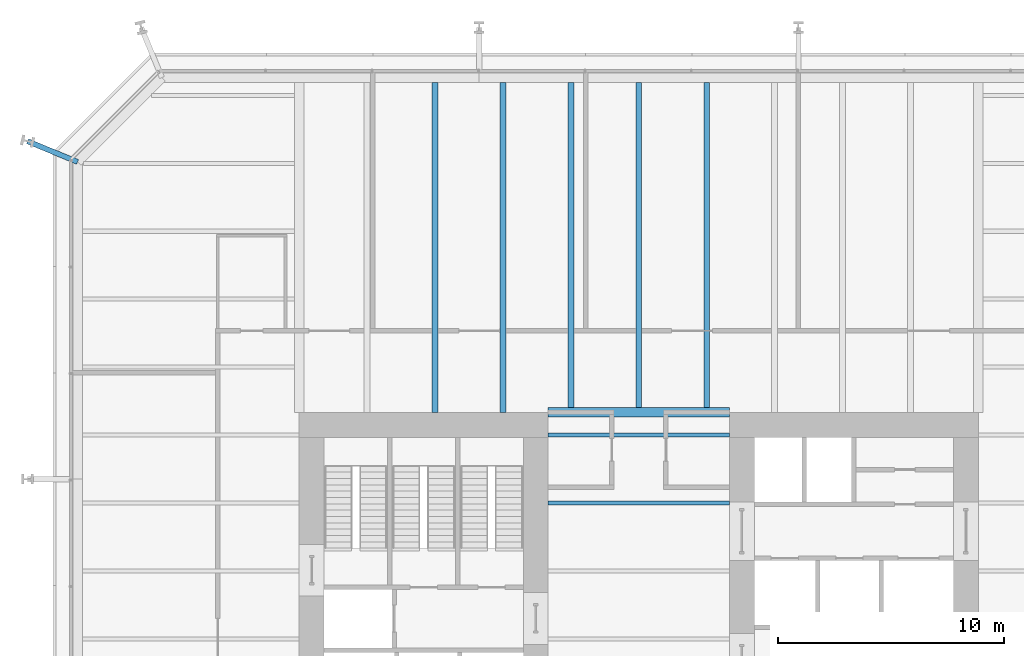
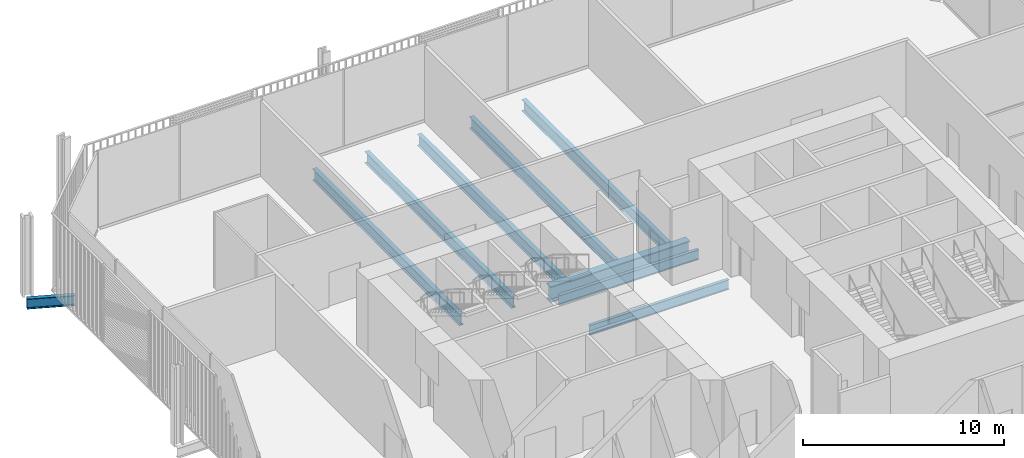
# One storey, part 13 of 22: 9 beams.
"""IFC4 building model written with IfcOpenShell, lengths in metres."""

from ifc_helpers import new_model, si_unit, direction, frame, origin, origin_2d, place, context, subcontext, project, spatial, i_section, extrude, material, material_profile, profile_set, type_object, element, save


model = new_model("IFC4")

# Units and contexts
model_context = context("Model", 3, precision=1e-05, world=origin(), true_north=direction((0.0, 1.0)))
body_context = subcontext(model_context, "Body", "Model", "MODEL_VIEW")
ifc_project = project(units=[si_unit("LENGTHUNIT", "METRE"), si_unit("AREAUNIT", "SQUARE_METRE"), si_unit("VOLUMEUNIT", "CUBIC_METRE"), si_unit("PLANEANGLEUNIT", "RADIAN"), si_unit("MASSUNIT", "GRAM", prefix="KILO")], contexts=[model_context])

# Site, building, storey
site_placement = place(None, origin())
site = spatial("IfcSite", under=ifc_project, at=site_placement, CompositionType="ELEMENT")
building_placement = place(site_placement, origin())
building = spatial("IfcBuilding", under=site, at=building_placement, Name="Millrace Tower", CompositionType="ELEMENT")
storey_placement = place(building_placement, frame((0.0, 0.0, 40.10009765625)))
storey = spatial("IfcBuildingStorey", under=building, at=storey_placement, Name="L09", CompositionType="ELEMENT", Elevation=40.10009765625)

# Beams
ifc_material_1 = material(Name="Steel ASTM A992 Grade 50", Category="steel")
ifc_material_profile_1 = material_profile(ifc_material_1, i_section(OverallWidth=0.177978515625, OverallDepth=0.599365234375, WebThickness=0.010009765625, FlangeThickness=0.012939453125, FilletRadius=0.012939453125, at=origin_2d()))
ifc_profile_set_1 = profile_set([ifc_material_profile_1], Name="Steel ASTM A992 Grade 50")
beam_type_1 = type_object("IfcBeamType", Name="Floor beam W24x55", PredefinedType="JOIST", material=ifc_profile_set_1)
for number, where, z_axis, x_axis, name in (
    (1, (-4.0, 6.0, -0.52490234375), (1.0, 0.0, 0.0), (0.0, 1.0, 0.0), "BM-A-L09-S1-S026"),
    (2, (-4.0, 9.0, -0.52490234375), (1.0, 0.0, 0.0), (0.0, 1.0, 0.0), "BM-A-L09-S1-S029"),
):
    element("IfcBeam", number, at=place(storey_placement, frame(where, z_axis=z_axis, x_axis=x_axis)), inside=storey, type_object=beam_type_1, Name=name, PredefinedType="JOIST", context=body_context, shape_type="SweptSolid", body=[
        extrude(i_section(OverallWidth=0.177978515625, OverallDepth=0.599365234375, WebThickness=0.010009765625, FlangeThickness=0.012939453125, FilletRadius=0.012939453125, at=origin_2d()), origin(), (0.0, 0.0, 1.0), 8.0),
    ])
ifc_material_2 = material(Name="Steel ASTM A992 Grade 50", Category="steel")
ifc_material_profile_2 = material_profile(ifc_material_2, i_section(OverallWidth=0.256591796875, OverallDepth=0.693359375, WebThickness=0.014404296875, FlangeThickness=0.023681640625, FilletRadius=0.01513671875, at=origin_2d()))
ifc_profile_set_2 = profile_set([ifc_material_profile_2], Name="Steel ASTM A992 Grade 50")
beam_type_2 = type_object("IfcBeamType", Name="Floor beam W27x114", PredefinedType="JOIST", material=ifc_profile_set_2)
for number, where, z_axis, x_axis, name in (
    (3, (-9.0, 10.0, -0.57177734375), (0.0, 1.0, 0.0), (-1.0, 0.0, 0.0), "BM-A-L09-S1-S044"),
    (4, (-6.0, 10.0, -0.57177734375), (0.0, 1.0, 0.0), (-1.0, 0.0, 0.0), "BM-A-L09-S1-S046"),
):
    element("IfcBeam", number, at=place(storey_placement, frame(where, z_axis=z_axis, x_axis=x_axis)), inside=storey, type_object=beam_type_2, Name=name, PredefinedType="JOIST", context=body_context, shape_type="SweptSolid", body=[
        extrude(i_section(OverallWidth=0.256591796875, OverallDepth=0.693359375, WebThickness=0.014404296875, FlangeThickness=0.023681640625, FilletRadius=0.01513671875, at=origin_2d()), origin(), (0.0, 0.0, 1.0), 14.578369140625),
    ])
for number, where, z_axis, x_axis, name in (
    (5, (-3.0, 10.212158203125, -0.57177734375), (0.0, 1.0, 0.0), (-1.0, 0.0, 0.0), "BM-A-L09-S1-S048"),
    (6, (0.0, 10.212158203125, -0.57177734375), (0.0, 1.0, 0.0), (-1.0, 0.0, 0.0), "BM-A-L09-S1-S050"),
    (7, (3.0, 10.212158203125, -0.57177734375), (0.0, 1.0, 0.0), (-1.0, 0.0, 0.0), "BM-A-L09-S1-S052"),
):
    element("IfcBeam", number, at=place(storey_placement, frame(where, z_axis=z_axis, x_axis=x_axis)), inside=storey, type_object=beam_type_2, Name=name, PredefinedType="JOIST", context=body_context, shape_type="SweptSolid", body=[
        extrude(i_section(OverallWidth=0.256591796875, OverallDepth=0.693359375, WebThickness=0.014404296875, FlangeThickness=0.023681640625, FilletRadius=0.01513671875, at=origin_2d()), origin(), (0.0, 0.0, 1.0), 14.3662109375),
    ])
ifc_material_3 = material(Name="Steel ASTM A992 Grade 50", Category="steel")
ifc_material_profile_3 = material_profile(ifc_material_3, i_section(OverallWidth=0.424072265625, OverallDepth=0.947509765625, WebThickness=0.02392578125, FlangeThickness=0.042724609375, FilletRadius=0.024169921875, at=origin_2d()))
ifc_profile_set_3 = profile_set([ifc_material_profile_3], Name="Steel ASTM A992 Grade 50")
beam_type_3 = type_object("IfcBeamType", Name="Girder short span W36x302", PredefinedType="BEAM", material=ifc_profile_set_3)
beam_1_placement = place(storey_placement, frame((-4.0, 10.0, -0.69873046875), z_axis=(1.0, 0.0, 0.0), x_axis=(0.0, 1.0, 0.0)))
element("IfcBeam", 8, at=beam_1_placement, inside=storey, type_object=beam_type_3, Name="BM-A-L09-S1-G064", PredefinedType="BEAM", context=body_context, shape_type="SweptSolid", body=[
    extrude(i_section(OverallWidth=0.424072265625, OverallDepth=0.947509765625, WebThickness=0.02392578125, FlangeThickness=0.042724609375, FilletRadius=0.024169921875, at=origin_2d()), origin(), (0.0, 0.0, 1.0), 8.0),
])
ifc_material_4 = material(Name="Steel ASTM A992 Grade 50", Category="steel")
ifc_material_profile_4 = material_profile(ifc_material_4, i_section(OverallWidth=0.23046875, OverallDepth=0.6171875, WebThickness=0.01318359375, FlangeThickness=0.022216796875, FilletRadius=0.012939453125, at=origin_2d()))
ifc_profile_set_4 = profile_set([ifc_material_profile_4], Name="Steel ASTM A992 Grade 50")
beam_type_4 = type_object("IfcBeamType", Name="Link beam W24x94", PredefinedType="BEAM", material=ifc_profile_set_4)
beam_2_placement = place(storey_placement, frame((-24.7890625, 21.062744140625, -0.53369140625), z_axis=(-0.923883789366, 0.382673155247, 0.0), x_axis=(-0.382673155247, -0.923883789366, 0.0)))
element("IfcBeam", 9, at=beam_2_placement, inside=storey, type_object=beam_type_4, Name="LNK-A-L09-S1-04", PredefinedType="BEAM", context=body_context, shape_type="SweptSolid", body=[
    extrude(i_section(OverallWidth=0.23046875, OverallDepth=0.6171875, WebThickness=0.01318359375, FlangeThickness=0.022216796875, FilletRadius=0.012939453125, at=origin_2d()), origin(), (0.0, 0.0, 1.0), 2.39306640625),
])

save(model, "model.ifc")
